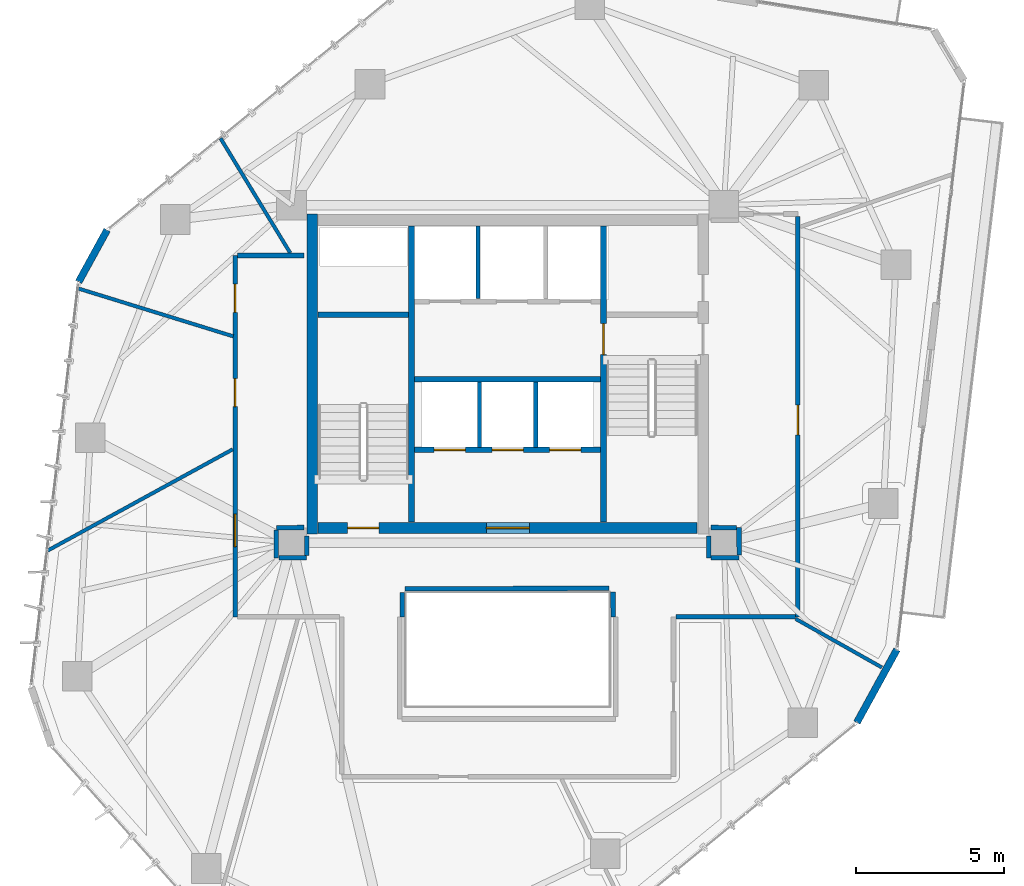
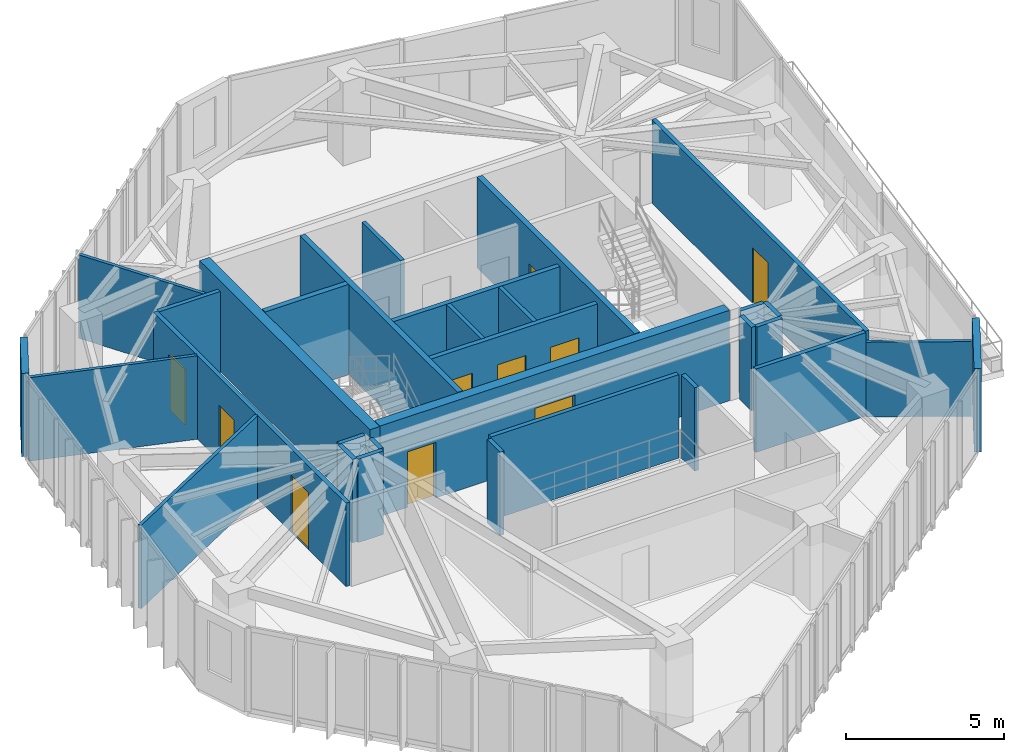
# One storey, part 18 of 22: 31 walls, 10 doors, 10 openings.
"""IFC4 building model written with IfcOpenShell, lengths in metres."""

from ifc_helpers import new_model, si_unit, direction, frame, frame_2d, origin, place, context, subcontext, project, spatial, rectangle, extrude, source, transform, mapped, material, layer, layer_set, type_object, type_shapes, element, fill, save


model = new_model("IFC4")

# Units and contexts
model_context = context("Model", 3, precision=1e-05, world=origin(), true_north=direction((0.0, 1.0)))
body_context = subcontext(model_context, "Body", "Model", "MODEL_VIEW")
ifc_project = project(units=[si_unit("LENGTHUNIT", "METRE"), si_unit("AREAUNIT", "SQUARE_METRE"), si_unit("VOLUMEUNIT", "CUBIC_METRE"), si_unit("PLANEANGLEUNIT", "RADIAN"), si_unit("MASSUNIT", "GRAM", prefix="KILO")], contexts=[model_context])

# Site, building, storey
site_placement = place(None, origin())
site = spatial("IfcSite", under=ifc_project, at=site_placement, CompositionType="ELEMENT")
building_placement = place(site_placement, origin())
building = spatial("IfcBuilding", under=site, at=building_placement, Name="Talar Marvaseh", CompositionType="ELEMENT")
storey_placement = place(building_placement, frame((0.0, 0.0, 229.199951171875)))
storey = spatial("IfcBuildingStorey", under=building, at=storey_placement, Name="L60", CompositionType="ELEMENT", Elevation=229.199951171875)

# Walls
ifc_material_1 = material(Name="Precast concrete C45/55", Category="concrete")
ifc_layer_1 = layer(ifc_material_1, 0.239990234375)
ifc_layer_set_1 = layer_set([ifc_layer_1], Name="Precast concrete C45/55")
wall_type_1 = type_object("IfcWallType", Name="Chamfered Hexagonal Corner Pier Wall Z3 240", PredefinedType="SOLIDWALL", material=ifc_layer_set_1)
wall_1_placement = place(storey_placement, frame((11.512451171875, 34.305908203125, 0.0), z_axis=(0.0, 0.0, 1.0), x_axis=(0.480968632028, 0.876737802884, 0.0)))
element("IfcWall", 1, at=wall_1_placement, inside=storey, type_object=wall_type_1, Name="L60 Chamfered Corner Limestone Pier 3", PredefinedType="SOLIDWALL", context=body_context, shape_type="SweptSolid", body=[
    extrude(rectangle(XDim=2.0029296875, YDim=0.239990234375, at=frame_2d((1.00146484375, 0.0))), origin(), (0.0, 0.0, 1.0), 3.22998046875),
])
wall_2_placement = place(storey_placement, frame((39.144287109375, 21.894287109375, 0.0), z_axis=(0.0, 0.0, 1.0), x_axis=(-0.48095304439, -0.876746353909, 0.0)))
element("IfcWall", 2, at=wall_2_placement, inside=storey, type_object=wall_type_1, Name="L60 Chamfered Corner Limestone Pier 6", PredefinedType="SOLIDWALL", context=body_context, shape_type="SweptSolid", body=[
    extrude(rectangle(XDim=2.815185546875, YDim=0.239990234375, at=frame_2d((1.40771484375, 0.0))), origin(), (0.0, 0.0, 1.0), 3.22998046875),
])

# Wall, openings, doors
ifc_material_2 = material(Name="Gypsum Board Partition Assembly")
ifc_layer_2 = layer(ifc_material_2, 0.155029296875)
ifc_layer_set_2 = layer_set([ifc_layer_2], Name="Gypsum Board Partition Assembly")
wall_type_2 = type_object("IfcWallType", Name="Corridor Fire-Rated Acoustic Partition 155", PredefinedType="PARTITIONING", material=ifc_layer_set_2)
wall_3_placement = place(storey_placement, frame((16.800048828125, 23.0, 0.0), z_axis=(0.0, 0.0, 1.0), x_axis=(0.0, 1.0, 0.0)))
wall_3 = element("IfcWall", 3, at=wall_3_placement, inside=storey, type_object=wall_type_2, Name="L60 Interior Partition Wall", PredefinedType="PARTITIONING", context=body_context, shape_type="SweptSolid", body=[
    extrude(rectangle(XDim=12.199951171875, YDim=0.155029296875, at=frame_2d((6.10009765625, 0.0))), origin(), (0.0, 0.0, 1.0), 3.22998046875),
])
opening_1_placement = place(wall_3_placement, frame((2.36865234375, 0.0, 0.0)))
opening_1 = element("IfcOpeningElement", 4, at=opening_1_placement, cuts=wall_3, Name="Opening DR-RM110", PredefinedType="OPENING", context=body_context, shape_type="SweptSolid", body=[
    extrude(rectangle(XDim=1.10009765625, YDim=2.199951171875, at=frame_2d((0.550048828125, 1.10009765625))), frame((0.0, 0.08740234375, 0.0), z_axis=(0.0, -1.0, 0.0), x_axis=(1.0, 0.0, 0.0)), (0.0, 0.0, 1.0), 0.175048828125),
])
opening_2_placement = place(wall_3_placement, frame((10.281982421875, 0.0, 0.0)))
opening_2 = element("IfcOpeningElement", 5, at=opening_2_placement, cuts=wall_3, Name="Opening DR-WC095", PredefinedType="OPENING", context=body_context, shape_type="SweptSolid", body=[
    extrude(rectangle(XDim=0.949951171875, YDim=2.14990234375, at=frame_2d((0.47509765625, 1.074951171875))), frame((0.0, 0.08740234375, 0.0), z_axis=(0.0, -1.0, 0.0), x_axis=(1.0, 0.0, 0.0)), (0.0, 0.0, 1.0), 0.175048828125),
])
opening_3_placement = place(wall_3_placement, frame((7.093994140625, 0.0, 0.0)))
opening_3 = element("IfcOpeningElement", 6, at=opening_3_placement, cuts=wall_3, Name="Opening DR-WC095", PredefinedType="OPENING", context=body_context, shape_type="SweptSolid", body=[
    extrude(rectangle(XDim=0.949951171875, YDim=2.14990234375, at=frame_2d((0.47509765625, 1.074951171875))), frame((0.0, 0.08740234375, 0.0), z_axis=(0.0, -1.0, 0.0), x_axis=(1.0, 0.0, 0.0)), (0.0, 0.0, 1.0), 0.175048828125),
])
ifc_material_3 = material(Name="Acoustic Engineered Oak Timber", Category="wood")
door_type_1 = type_object("IfcDoorType", Name="Washroom and Service Room Door 950x2150", OperationType="NOTDEFINED", PredefinedType="DOOR", material=ifc_material_3)
shared_shape_1 = source(origin(), body_context, "Body", "SweptSolid", [
    extrude(rectangle(XDim=0.949951171875, YDim=2.14990234375, at=frame_2d((0.47509765625, 1.074951171875))), frame((0.0, 0.02490234375, 0.0), z_axis=(0.0, -1.0, 0.0), x_axis=(1.0, 0.0, 0.0)), (0.0, 0.0, 1.0), 0.050048828125),
])
type_shapes(door_type_1, [shared_shape_1])
door_1_placement = place(opening_2_placement, origin())
door_1 = element("IfcDoor", 7, at=door_1_placement, inside=storey, type_object=door_type_1, Name="L60 WC Public Washrooms Door", OperationType="SINGLE_SWING_RIGHT", OverallHeight=2.14990234375, OverallWidth=0.949951171875, PredefinedType="DOOR", context=body_context, shape_type="MappedRepresentation", body=[
    mapped(shared_shape_1, transform((0.0, 0.0, 0.0), x_axis=(1.0, 0.0, 0.0), y_axis=(0.0, 1.0, 0.0), z_axis=(0.0, 0.0, 1.0), scale=1.0)),
])
fill(opening_2, door_1)
door_2_placement = place(opening_3_placement, origin())
door_2 = element("IfcDoor", 8, at=door_2_placement, inside=storey, type_object=door_type_1, Name="L60 Accessible WC Block Door", OperationType="SINGLE_SWING_LEFT", OverallHeight=2.14990234375, OverallWidth=0.949951171875, PredefinedType="DOOR", context=body_context, shape_type="MappedRepresentation", body=[
    mapped(shared_shape_1, transform((0.0, 0.0, 0.0), x_axis=(1.0, 0.0, 0.0), y_axis=(0.0, 1.0, 0.0), z_axis=(0.0, 0.0, 1.0), scale=1.0)),
])
fill(opening_3, door_2)
door_type_2 = type_object("IfcDoorType", Name="Assembly and Reading Hall Door 1100x2200", OperationType="NOTDEFINED", PredefinedType="DOOR", material=ifc_material_3)
shared_shape_2 = source(origin(), body_context, "Body", "SweptSolid", [
    extrude(rectangle(XDim=1.10009765625, YDim=2.199951171875, at=frame_2d((0.550048828125, 1.10009765625))), frame((0.0, 0.02490234375, 0.0), z_axis=(0.0, -1.0, 0.0), x_axis=(1.0, 0.0, 0.0)), (0.0, 0.0, 1.0), 0.050048828125),
])
type_shapes(door_type_2, [shared_shape_2])
door_3_placement = place(opening_1_placement, origin())
door_3 = element("IfcDoor", 9, at=door_3_placement, inside=storey, type_object=door_type_2, Name="L60 Gallery Concierge Reception Door", OperationType="SINGLE_SWING_LEFT", OverallHeight=2.199951171875, OverallWidth=1.10009765625, PredefinedType="DOOR", context=body_context, shape_type="MappedRepresentation", body=[
    mapped(shared_shape_2, transform((0.0, 0.0, 0.0), x_axis=(1.0, 0.0, 0.0), y_axis=(0.0, 1.0, 0.0), z_axis=(0.0, 0.0, 1.0), scale=1.0)),
])
fill(opening_1, door_3)

# Wall, opening, door
wall_4_placement = place(storey_placement, frame((35.800048828125, 36.5166015625, 0.0), z_axis=(0.0, 0.0, 1.0), x_axis=(0.0, -1.0, 0.0)))
wall_4 = element("IfcWall", 10, at=wall_4_placement, inside=storey, type_object=wall_type_2, Name="L60 Interior Partition Wall", PredefinedType="PARTITIONING", context=body_context, shape_type="SweptSolid", body=[
    extrude(rectangle(XDim=13.5166015625, YDim=0.155029296875, at=frame_2d((6.75830078125, 0.0))), origin(), (0.0, 0.0, 1.0), 3.22998046875),
])
opening_4_placement = place(wall_4_placement, frame((6.371337890625, 0.0, 0.0)))
opening_4 = element("IfcOpeningElement", 11, at=opening_4_placement, cuts=wall_4, Name="Opening DR-RM100", PredefinedType="OPENING", context=body_context, shape_type="SweptSolid", body=[
    extrude(rectangle(XDim=1.0, YDim=2.14990234375, at=frame_2d((0.5, 1.074951171875))), frame((0.0, 0.08740234375, 0.0), z_axis=(0.0, -1.0, 0.0), x_axis=(1.0, 0.0, 0.0)), (0.0, 0.0, 1.0), 0.175048828125),
])
door_type_3 = type_object("IfcDoorType", Name="Corridor Fire-Rated Gallery Door 1000x2150", OperationType="NOTDEFINED", PredefinedType="DOOR", material=ifc_material_3)
shared_shape_3 = source(origin(), body_context, "Body", "SweptSolid", [
    extrude(rectangle(XDim=1.0, YDim=2.14990234375, at=frame_2d((0.5, 1.074951171875))), frame((0.0, 0.02490234375, 0.0), z_axis=(0.0, -1.0, 0.0), x_axis=(1.0, 0.0, 0.0)), (0.0, 0.0, 1.0), 0.050048828125),
])
type_shapes(door_type_3, [shared_shape_3])
door_4_placement = place(opening_4_placement, origin())
door_4 = element("IfcDoor", 12, at=door_4_placement, inside=storey, type_object=door_type_3, Name="L60 Registrar Mail and Post Room Door", OperationType="SINGLE_SWING_RIGHT", OverallHeight=2.14990234375, OverallWidth=1.0, PredefinedType="DOOR", context=body_context, shape_type="MappedRepresentation", body=[
    mapped(shared_shape_3, transform((0.0, 0.0, 0.0), x_axis=(1.0, 0.0, 0.0), y_axis=(0.0, 1.0, 0.0), z_axis=(0.0, 0.0, 1.0), scale=1.0)),
])
fill(opening_4, door_4)

# Walls
wall_5_placement = place(storey_placement, frame((16.883544921875, 35.199951171875, 0.0), z_axis=(0.0, 0.0, 1.0), x_axis=(1.0, 0.0, 0.0)))
element("IfcWall", 13, at=wall_5_placement, inside=storey, type_object=wall_type_2, Name="L60 Interior Partition Wall", PredefinedType="PARTITIONING", context=body_context, shape_type="SweptSolid", body=[
    extrude(rectangle(XDim=2.246337890625, YDim=0.155029296875, at=frame_2d((1.123046875, 0.0))), origin(), (0.0, 0.0, 1.0), 3.22998046875),
])
wall_6_placement = place(storey_placement, frame((19.1298828125, 26.0146484375, 0.0), z_axis=(0.0, 0.0, 1.0), x_axis=(-0.99999026157, -0.004413248818, 0.0)))
element("IfcWall", 14, at=wall_6_placement, inside=storey, type_object=wall_type_2, Name="L60 Interior Partition Wall", PredefinedType="PARTITIONING", context=body_context, shape_type="SweptSolid", body=[
    extrude(rectangle(XDim=0.9404296875, YDim=0.155029296875, at=frame_2d((0.47021484375, 0.0))), origin(), (0.0, 0.0, 1.0), 3.22998046875),
])
wall_7_placement = place(storey_placement, frame((18.189697265625, 25.927001953125, 0.0), z_axis=(0.0, 0.0, 1.0), x_axis=(0.002078997586, -0.999997838882, 0.0)))
element("IfcWall", 15, at=wall_7_placement, inside=storey, type_object=wall_type_2, Name="L60 Interior Partition Wall", PredefinedType="PARTITIONING", context=body_context, shape_type="SweptSolid", body=[
    extrude(rectangle(XDim=0.939453125, YDim=0.155029296875, at=frame_2d((0.4697265625, 0.0))), origin(), (0.0, 0.0, 1.0), 3.22998046875),
])
wall_8_placement = place(storey_placement, frame((18.275146484375, 24.987548828125, 0.0), z_axis=(0.0, 0.0, 1.0), x_axis=(0.999999692748, 0.0007839036, 0.0)))
element("IfcWall", 16, at=wall_8_placement, inside=storey, type_object=wall_type_2, Name="L60 Interior Partition Wall", PredefinedType="PARTITIONING", context=body_context, shape_type="SweptSolid", body=[
    extrude(rectangle(XDim=0.934326171875, YDim=0.155029296875, at=frame_2d((0.46728515625, 0.0))), origin(), (0.0, 0.0, 1.0), 3.22998046875),
])
wall_9_placement = place(storey_placement, frame((19.210205078125, 25.072021484375, 0.0), z_axis=(0.0, 0.0, 1.0), x_axis=(0.007420945932, 0.999972464402, 0.0)))
element("IfcWall", 17, at=wall_9_placement, inside=storey, type_object=wall_type_2, Name="L60 Interior Partition Wall", PredefinedType="PARTITIONING", context=body_context, shape_type="SweptSolid", body=[
    extrude(rectangle(XDim=0.657958984375, YDim=0.155029296875, at=frame_2d((0.3291015625, 0.0))), origin(), (0.0, 0.0, 1.0), 3.22998046875),
])
wall_10_placement = place(storey_placement, frame((32.784912109375, 25.72998046875, 0.0), z_axis=(0.0, 0.0, 1.0), x_axis=(0.007570553288, -0.999971342951, 0.0)))
element("IfcWall", 18, at=wall_10_placement, inside=storey, type_object=wall_type_2, Name="L60 Interior Partition Wall", PredefinedType="PARTITIONING", context=body_context, shape_type="SweptSolid", body=[
    extrude(rectangle(XDim=0.74169921875, YDim=0.155029296875, at=frame_2d((0.370849609375, 0.0))), origin(), (0.0, 0.0, 1.0), 3.22998046875),
])
wall_11_placement = place(storey_placement, frame((32.8740234375, 24.9892578125, 0.0), z_axis=(0.0, 0.0, 1.0), x_axis=(0.999934835738, 0.01141596595, 0.0)))
element("IfcWall", 19, at=wall_11_placement, inside=storey, type_object=wall_type_2, Name="L60 Interior Partition Wall", PredefinedType="PARTITIONING", context=body_context, shape_type="SweptSolid", body=[
    extrude(rectangle(XDim=0.94091796875, YDim=0.155029296875, at=frame_2d((0.470458984375, 0.0))), origin(), (0.0, 0.0, 1.0), 3.22998046875),
])
wall_12_placement = place(storey_placement, frame((33.814697265625, 25.08349609375, 0.0), z_axis=(0.0, 0.0, 1.0), x_axis=(-0.004477173984, 0.999989977406, 0.0)))
element("IfcWall", 20, at=wall_12_placement, inside=storey, type_object=wall_type_2, Name="L60 Interior Partition Wall", PredefinedType="PARTITIONING", context=body_context, shape_type="SweptSolid", body=[
    extrude(rectangle(XDim=0.927001953125, YDim=0.155029296875, at=frame_2d((0.46337890625, 0.0))), origin(), (0.0, 0.0, 1.0), 3.22998046875),
])
wall_13_placement = place(storey_placement, frame((33.72705078125, 26.010986328125, 0.0), z_axis=(0.0, 0.0, 1.0), x_axis=(-0.999990868706, 0.004273465251, 0.0)))
element("IfcWall", 21, at=wall_13_placement, inside=storey, type_object=wall_type_2, Name="L60 Interior Partition Wall", PredefinedType="PARTITIONING", context=body_context, shape_type="SweptSolid", body=[
    extrude(rectangle(XDim=0.85693359375, YDim=0.155029296875, at=frame_2d((0.428466796875, 0.0))), origin(), (0.0, 0.0, 1.0), 3.22998046875),
])
wall_14_placement = place(storey_placement, frame((35.716552734375, 23.0, 0.0), z_axis=(0.0, 0.0, 1.0), x_axis=(-1.0, 0.0, 0.0)))
element("IfcWall", 22, at=wall_14_placement, inside=storey, type_object=wall_type_2, Name="L60 Interior Partition Wall", PredefinedType="PARTITIONING", context=body_context, shape_type="SweptSolid", body=[
    extrude(rectangle(XDim=4.032958984375, YDim=0.155029296875, at=frame_2d((2.0166015625, 0.0))), origin(), (0.0, 0.0, 1.0), 3.22998046875),
])
wall_15_placement = place(storey_placement, frame((29.415771484375, 23.959228515625, 0.0), z_axis=(0.0, 0.0, 1.0), x_axis=(-0.999998607957, -0.001668557745, 0.0)))
element("IfcWall", 23, at=wall_15_placement, inside=storey, type_object=wall_type_2, Name="L60 Interior Partition Wall", PredefinedType="PARTITIONING", context=body_context, shape_type="SweptSolid", body=[
    extrude(rectangle(XDim=6.876953125, YDim=0.155029296875, at=frame_2d((3.4384765625, 0.0))), origin(), (0.0, 0.0, 1.0), 3.22998046875),
])
wall_16_placement = place(storey_placement, frame((22.44091796875, 23.815673828125, 0.0), z_axis=(0.0, 0.0, 1.0), x_axis=(-0.001197245475, -0.999999283301, 0.0)))
element("IfcWall", 24, at=wall_16_placement, inside=storey, type_object=wall_type_2, Name="L60 Interior Partition Wall", PredefinedType="PARTITIONING", context=body_context, shape_type="SweptSolid", body=[
    extrude(rectangle(XDim=0.815673828125, YDim=0.155029296875, at=frame_2d((0.40771484375, 0.0))), origin(), (0.0, 0.0, 1.0), 3.22998046875),
])
wall_17_placement = place(storey_placement, frame((29.56005859375, 23.0, 0.0), z_axis=(0.0, 0.0, 1.0), x_axis=(-0.003817887006, 0.999992711843, 0.0)))
element("IfcWall", 25, at=wall_17_placement, inside=storey, type_object=wall_type_2, Name="L60 Interior Partition Wall", PredefinedType="PARTITIONING", context=body_context, shape_type="SweptSolid", body=[
    extrude(rectangle(XDim=0.831298828125, YDim=0.155029296875, at=frame_2d((0.41552734375, 0.0))), origin(), (0.0, 0.0, 1.0), 3.22998046875),
])
ifc_layer_3 = layer(ifc_material_2, 0.1201171875)
ifc_layer_set_3 = layer_set([ifc_layer_3], Name="Gypsum Board Partition Assembly")
wall_type_3 = type_object("IfcWallType", Name="Demountable Studio Room Partition 120", PredefinedType="PARTITIONING", material=ifc_layer_set_3)
wall_18_placement = place(storey_placement, frame((10.4658203125, 25.233642578125, 0.0), z_axis=(0.0, 0.0, 1.0), x_axis=(0.877236106852, 0.480059176389, 0.0)))
element("IfcWall", 26, at=wall_18_placement, inside=storey, type_object=wall_type_3, Name="L60 Interior Partition Wall", PredefinedType="PARTITIONING", context=body_context, shape_type="SweptSolid", body=[
    extrude(rectangle(XDim=7.12548828125, YDim=0.1201171875, at=frame_2d((3.562744140625, 0.0))), origin(), (0.0, 0.0, 1.0), 3.22998046875),
])
wall_19_placement = place(storey_placement, frame((35.722412109375, 22.930908203125, 0.0), z_axis=(0.0, 0.0, 1.0), x_axis=(0.87129071966, -0.490767237938, 0.0)))
element("IfcWall", 27, at=wall_19_placement, inside=storey, type_object=wall_type_3, Name="L60 Interior Partition Wall", PredefinedType="PARTITIONING", context=body_context, shape_type="SweptSolid", body=[
    extrude(rectangle(XDim=3.343994140625, YDim=0.1201171875, at=frame_2d((1.671875, 0.0))), origin(), (0.0, 0.0, 1.0), 2.89208984375),
])
wall_20_placement = place(storey_placement, frame((18.6591796875, 35.283447265625, 0.0), z_axis=(0.0, 0.0, 1.0), x_axis=(-0.519422238821, 0.854517722354, 0.0)))
element("IfcWall", 28, at=wall_20_placement, inside=storey, type_object=wall_type_3, Name="L60 Interior Partition Wall", PredefinedType="PARTITIONING", context=body_context, shape_type="SweptSolid", body=[
    extrude(rectangle(XDim=4.532470703125, YDim=0.1201171875, at=frame_2d((2.26611328125, 0.0))), origin(), (0.0, 0.0, 1.0), 3.22998046875),
])
wall_21_placement = place(storey_placement, frame((16.73779296875, 32.46923828125, 0.0), z_axis=(0.0, 0.0, 1.0), x_axis=(-0.955535688981, 0.294875477249, 0.0)))
element("IfcWall", 29, at=wall_21_placement, inside=storey, type_object=wall_type_3, Name="L60 Interior Partition Wall", PredefinedType="PARTITIONING", context=body_context, shape_type="SweptSolid", body=[
    extrude(rectangle(XDim=5.474365234375, YDim=0.1201171875, at=frame_2d((2.7373046875, 0.0))), origin(), (0.0, 0.0, 1.0), 3.22998046875),
])
ifc_layer_4 = layer(ifc_material_1, 0.14501953125)
ifc_layer_set_4 = layer_set([ifc_layer_4], Name="Precast concrete C45/55")
wall_type_4 = type_object("IfcWallType", Name="Fire-Rated Lift Divider Wall 145", PredefinedType="SOLIDWALL", material=ifc_layer_set_4)
wall_22_placement = place(storey_placement, frame((25.0, 33.743408203125, 0.0), z_axis=(0.0, 0.0, 1.0), x_axis=(0.0, 1.0, 0.0)))
element("IfcWall", 30, at=wall_22_placement, inside=storey, type_object=wall_type_4, Name="L60 FFL-1/FFL-2 Divider", PredefinedType="SOLIDWALL", context=body_context, shape_type="SweptSolid", body=[
    extrude(rectangle(XDim=2.45654296875, YDim=0.14501953125, at=frame_2d((1.228271484375, 0.0))), origin(), (0.0, 0.0, 1.0), 3.22998046875),
])
for number, where, z_axis, x_axis, name in (
    (31, (25.050048828125, 28.719970703125, 0.0), (0.0, 0.0, 1.0), (0.0, 1.0, 0.0), "L60 PL-H1/PL-H2 Divider"),
    (32, (26.949951171875, 28.719970703125, 0.0), (0.0, 0.0, 1.0), (0.0, 1.0, 0.0), "L60 PL-H2/PL-H3 Divider"),
):
    element("IfcWall", number, at=place(storey_placement, frame(where, z_axis=z_axis, x_axis=x_axis)), inside=storey, type_object=wall_type_4, Name=name, PredefinedType="SOLIDWALL", context=body_context, shape_type="SweptSolid", body=[
        extrude(rectangle(XDim=2.20654296875, YDim=0.14501953125, at=frame_2d((1.103271484375, 0.0))), origin(), (0.0, 0.0, 1.0), 3.22998046875),
    ])
ifc_layer_5 = layer(ifc_material_1, 0.175048828125)
ifc_layer_set_5 = layer_set([ifc_layer_5], Name="Precast concrete C45/55")
wall_type_5 = type_object("IfcWallType", Name="Fire-Rated Lift Hoistway Enclosure Wall 175", PredefinedType="SOLIDWALL", material=ifc_layer_set_5)
wall_23_placement = place(storey_placement, frame((22.860107421875, 31.02001953125, 0.0), z_axis=(0.0, 0.0, 1.0), x_axis=(1.0, 0.0, 0.0)))
element("IfcWall", 33, at=wall_23_placement, inside=storey, type_object=wall_type_5, Name="L60 Firefighting Lobby South Smoke Wall", PredefinedType="SOLIDWALL", context=body_context, shape_type="SweptSolid", body=[
    extrude(rectangle(XDim=6.27978515625, YDim=0.175048828125, at=frame_2d((3.139892578125, 0.0))), origin(), (0.0, 0.0, 1.0), 3.22998046875),
])

# Wall, openings, doors
wall_24_placement = place(storey_placement, frame((22.860107421875, 28.639892578125, 0.0), z_axis=(0.0, 0.0, 1.0), x_axis=(1.0, 0.0, 0.0)))
wall_24 = element("IfcWall", 34, at=wall_24_placement, inside=storey, type_object=wall_type_5, Name="L60 High-Rise Lift Bank Front Wall", PredefinedType="SOLIDWALL", context=body_context, shape_type="SweptSolid", body=[
    extrude(rectangle(XDim=6.27978515625, YDim=0.175048828125, at=frame_2d((3.139892578125, 0.0))), origin(), (0.0, 0.0, 1.0), 3.22998046875),
])
opening_5_placement = place(wall_24_placement, frame((0.659912109375, 0.0, 0.0)))
opening_5 = element("IfcOpeningElement", 35, at=opening_5_placement, cuts=wall_24, Name="Opening LD-PLH1", PredefinedType="OPENING", context=body_context, shape_type="SweptSolid", body=[
    extrude(rectangle(XDim=1.050048828125, YDim=2.14990234375, at=frame_2d((0.52490234375, 1.074951171875))), frame((0.0, 0.09765625, 0.0), z_axis=(0.0, -1.0, 0.0), x_axis=(1.0, 0.0, 0.0)), (0.0, 0.0, 1.0), 0.195068359375),
])
opening_6_placement = place(wall_24_placement, frame((2.6201171875, 0.0, 0.0)))
opening_6 = element("IfcOpeningElement", 36, at=opening_6_placement, cuts=wall_24, Name="Opening LD-PLH2", PredefinedType="OPENING", context=body_context, shape_type="SweptSolid", body=[
    extrude(rectangle(XDim=1.050048828125, YDim=2.14990234375, at=frame_2d((0.52490234375, 1.074951171875))), frame((0.0, 0.09765625, 0.0), z_axis=(0.0, -1.0, 0.0), x_axis=(1.0, 0.0, 0.0)), (0.0, 0.0, 1.0), 0.195068359375),
])
opening_7_placement = place(wall_24_placement, frame((4.56005859375, 0.0, 0.0)))
opening_7 = element("IfcOpeningElement", 37, at=opening_7_placement, cuts=wall_24, Name="Opening LD-PLH3", PredefinedType="OPENING", context=body_context, shape_type="SweptSolid", body=[
    extrude(rectangle(XDim=1.050048828125, YDim=2.14990234375, at=frame_2d((0.52490234375, 1.074951171875))), frame((0.0, 0.09765625, 0.0), z_axis=(0.0, -1.0, 0.0), x_axis=(1.0, 0.0, 0.0)), (0.0, 0.0, 1.0), 0.195068359375),
])
ifc_material_4 = material(Name="Stainless Steel Grade 316", Category="steel")
door_type_4 = type_object("IfcDoorType", Name="Automatic Sliding Lift Landing Door 1050x2150", OperationType="NOTDEFINED", PredefinedType="DOOR", material=ifc_material_4)
shared_shape_4 = source(origin(), body_context, "Body", "SweptSolid", [
    extrude(rectangle(XDim=1.050048828125, YDim=2.14990234375, at=frame_2d((0.52490234375, 1.074951171875))), frame((0.0, 0.02490234375, 0.0), z_axis=(0.0, -1.0, 0.0), x_axis=(1.0, 0.0, 0.0)), (0.0, 0.0, 1.0), 0.050048828125),
])
type_shapes(door_type_4, [shared_shape_4])
door_5_placement = place(opening_5_placement, origin())
door_5 = element("IfcDoor", 38, at=door_5_placement, inside=storey, type_object=door_type_4, Name="L60 Lift PL-H1 Sliding Landing Door", OperationType="SLIDING_TO_LEFT", OverallHeight=2.14990234375, OverallWidth=1.050048828125, PredefinedType="DOOR", context=body_context, shape_type="MappedRepresentation", body=[
    mapped(shared_shape_4, transform((0.0, 0.0, 0.0), x_axis=(1.0, 0.0, 0.0), y_axis=(0.0, 1.0, 0.0), z_axis=(0.0, 0.0, 1.0), scale=1.0)),
])
fill(opening_5, door_5)
door_6_placement = place(opening_6_placement, origin())
door_6 = element("IfcDoor", 39, at=door_6_placement, inside=storey, type_object=door_type_4, Name="L60 Lift PL-H2 Sliding Landing Door", OperationType="SLIDING_TO_LEFT", OverallHeight=2.14990234375, OverallWidth=1.050048828125, PredefinedType="DOOR", context=body_context, shape_type="MappedRepresentation", body=[
    mapped(shared_shape_4, transform((0.0, 0.0, 0.0), x_axis=(1.0, 0.0, 0.0), y_axis=(0.0, 1.0, 0.0), z_axis=(0.0, 0.0, 1.0), scale=1.0)),
])
fill(opening_6, door_6)
door_7_placement = place(opening_7_placement, origin())
door_7 = element("IfcDoor", 40, at=door_7_placement, inside=storey, type_object=door_type_4, Name="L60 Lift PL-H3 Sliding Landing Door", OperationType="SLIDING_TO_LEFT", OverallHeight=2.14990234375, OverallWidth=1.050048828125, PredefinedType="DOOR", context=body_context, shape_type="MappedRepresentation", body=[
    mapped(shared_shape_4, transform((0.0, 0.0, 0.0), x_axis=(1.0, 0.0, 0.0), y_axis=(0.0, 1.0, 0.0), z_axis=(0.0, 0.0, 1.0), scale=1.0)),
])
fill(opening_7, door_7)

# Wall
ifc_material_5 = material(Name="Concrete C50/60", Category="concrete")
ifc_layer_6 = layer(ifc_material_5, 0.199951171875)
ifc_layer_set_6 = layer_set([ifc_layer_6], Name="Concrete C50/60")
wall_type_6 = type_object("IfcWallType", Name="Stair Shaft Structural Concrete Shear Wall 200", PredefinedType="SHEAR", material=ifc_layer_set_6)
wall_25_placement = place(storey_placement, frame((22.760009765625, 26.199951171875, 0.0), z_axis=(0.0, 0.0, 1.0), x_axis=(0.0, 1.0, 0.0)))
element("IfcWall", 41, at=wall_25_placement, inside=storey, type_object=wall_type_6, Name="L60 Core West Stair Shear Wall", PredefinedType="SHEAR", context=body_context, shape_type="SweptSolid", body=[
    extrude(rectangle(XDim=10.0, YDim=0.199951171875, at=frame_2d((5.0, 0.0))), origin(), (0.0, 0.0, 1.0), 3.5),
])

# Wall, opening, door
wall_26_placement = place(storey_placement, frame((29.239990234375, 26.199951171875, 0.0), z_axis=(0.0, 0.0, 1.0), x_axis=(0.0, 1.0, 0.0)))
wall_26 = element("IfcWall", 42, at=wall_26_placement, inside=storey, type_object=wall_type_6, Name="L60 Core East Stair Shear Wall", PredefinedType="SHEAR", context=body_context, shape_type="SweptSolid", body=[
    extrude(rectangle(XDim=10.0, YDim=0.199951171875, at=frame_2d((5.0, 0.0))), origin(), (0.0, 0.0, 1.0), 3.5),
])
opening_8_placement = place(wall_26_placement, frame((5.64990234375, 0.0, 0.0)))
opening_8 = element("IfcOpeningElement", 43, at=opening_8_placement, cuts=wall_26, Name="Opening DR-ST105", PredefinedType="OPENING", context=body_context, shape_type="SweptSolid", body=[
    extrude(rectangle(XDim=1.050048828125, YDim=2.14990234375, at=frame_2d((0.52490234375, 1.074951171875))), frame((0.0, 0.10986328125, 0.0), z_axis=(0.0, -1.0, 0.0), x_axis=(1.0, 0.0, 0.0)), (0.0, 0.0, 1.0), 0.219970703125),
])
ifc_material_6 = material(Name="Fire-Rated Steel Door Leaf", Category="steel")
door_type_5 = type_object("IfcDoorType", Name="Protected Exit Stair Fire Door 1050x2150", OperationType="NOTDEFINED", PredefinedType="DOOR", material=ifc_material_6)
shared_shape_5 = source(origin(), body_context, "Body", "SweptSolid", [
    extrude(rectangle(XDim=1.050048828125, YDim=2.14990234375, at=frame_2d((0.52490234375, 1.074951171875))), frame((0.0, 0.02490234375, 0.0), z_axis=(0.0, -1.0, 0.0), x_axis=(1.0, 0.0, 0.0)), (0.0, 0.0, 1.0), 0.050048828125),
])
type_shapes(door_type_5, [shared_shape_5])
door_8_placement = place(opening_8_placement, origin())
door_8 = element("IfcDoor", 44, at=door_8_placement, inside=storey, type_object=door_type_5, Name="L60 Firefighting Lobby to Stair ST-2 Door", OperationType="SINGLE_SWING_LEFT", OverallHeight=2.14990234375, OverallWidth=1.050048828125, PredefinedType="DOOR", context=body_context, shape_type="MappedRepresentation", body=[
    mapped(shared_shape_5, transform((0.0, 0.0, 0.0), x_axis=(1.0, 0.0, 0.0), y_axis=(0.0, 1.0, 0.0), z_axis=(0.0, 0.0, 1.0), scale=1.0)),
])
fill(opening_8, door_8)

# Walls
wall_27_placement = place(storey_placement, frame((19.60009765625, 33.199951171875, 0.0), z_axis=(0.0, 0.0, 1.0), x_axis=(1.0, 0.0, 0.0)))
element("IfcWall", 45, at=wall_27_placement, inside=storey, type_object=wall_type_6, Name="L60 Stair ST-1 North Shear Wall", PredefinedType="SHEAR", context=body_context, shape_type="SweptSolid", body=[
    extrude(rectangle(XDim=3.059814453125, YDim=0.199951171875, at=frame_2d((1.52978515625, 0.0))), origin(), (0.0, 0.0, 1.0), 3.5),
])
ifc_layer_7 = layer(ifc_material_5, 0.360107421875)
ifc_layer_set_7 = layer_set([ifc_layer_7], Name="Concrete C50/60")
wall_type_7 = type_object("IfcWallType", Name="Upper Core Reinforced Concrete Shear Wall 360", PredefinedType="SHEAR", material=ifc_layer_set_7)
wall_28_placement = place(storey_placement, frame((19.39990234375, 25.800048828125, 0.0), z_axis=(0.0, 0.0, 1.0), x_axis=(0.0, 1.0, 0.0)))
element("IfcWall", 46, at=wall_28_placement, inside=storey, type_object=wall_type_7, Name="L60 West Core Shear Wall", PredefinedType="SHEAR", context=body_context, shape_type="SweptSolid", body=[
    extrude(rectangle(XDim=10.800048828125, YDim=0.360107421875, at=frame_2d((5.39990234375, 0.0))), origin(), (0.0, 0.0, 1.0), 3.5),
])

# Wall, openings, doors
wall_29_placement = place(storey_placement, frame((32.39990234375, 26.0, 0.0), z_axis=(0.0, 0.0, 1.0), x_axis=(-1.0, 0.0, 0.0)))
wall_29 = element("IfcWall", 47, at=wall_29_placement, inside=storey, type_object=wall_type_7, Name="L60 South Core Shear Wall", PredefinedType="SHEAR", context=body_context, shape_type="SweptSolid", body=[
    extrude(rectangle(XDim=12.7998046875, YDim=0.360107421875, at=frame_2d((6.39990234375, 0.0))), origin(), (0.0, 0.0, 1.0), 3.5),
])
opening_9_placement = place(wall_29_placement, frame((10.75, 0.0, 0.0)))
opening_9 = element("IfcOpeningElement", 48, at=opening_9_placement, cuts=wall_29, Name="Opening DR-ST105", PredefinedType="OPENING", context=body_context, shape_type="SweptSolid", body=[
    extrude(rectangle(XDim=1.050048828125, YDim=2.14990234375, at=frame_2d((0.52490234375, 1.074951171875))), frame((0.0, 0.18994140625, 0.0), z_axis=(0.0, -1.0, 0.0), x_axis=(1.0, 0.0, 0.0)), (0.0, 0.0, 1.0), 0.380126953125),
])
opening_10_placement = place(wall_29_placement, frame((5.669921875, 0.0, 0.0)))
opening_10 = element("IfcOpeningElement", 49, at=opening_10_placement, cuts=wall_29, Name="Opening DR-LBY145", PredefinedType="OPENING", context=body_context, shape_type="SweptSolid", body=[
    extrude(rectangle(XDim=1.449951171875, YDim=2.199951171875, at=frame_2d((0.72509765625, 1.10009765625))), frame((0.0, 0.18994140625, 0.0), z_axis=(0.0, -1.0, 0.0), x_axis=(1.0, 0.0, 0.0)), (0.0, 0.0, 1.0), 0.380126953125),
])
door_9_placement = place(opening_9_placement, origin())
door_9 = element("IfcDoor", 50, at=door_9_placement, inside=storey, type_object=door_type_5, Name="L60 Stair ST-1 Exit Door", OperationType="SINGLE_SWING_RIGHT", OverallHeight=2.14990234375, OverallWidth=1.050048828125, PredefinedType="DOOR", context=body_context, shape_type="MappedRepresentation", body=[
    mapped(shared_shape_5, transform((0.0, 0.0, 0.0), x_axis=(1.0, 0.0, 0.0), y_axis=(0.0, 1.0, 0.0), z_axis=(0.0, 0.0, 1.0), scale=1.0)),
])
fill(opening_9, door_9)
door_type_6 = type_object("IfcDoorType", Name="Core Lift Lobby Double Smoke Door 1450x2200", OperationType="NOTDEFINED", PredefinedType="DOOR", material=ifc_material_6)
shared_shape_6 = source(origin(), body_context, "Body", "SweptSolid", [
    extrude(rectangle(XDim=1.449951171875, YDim=2.199951171875, at=frame_2d((0.72509765625, 1.10009765625))), frame((0.0, 0.02490234375, 0.0), z_axis=(0.0, -1.0, 0.0), x_axis=(1.0, 0.0, 0.0)), (0.0, 0.0, 1.0), 0.050048828125),
])
type_shapes(door_type_6, [shared_shape_6])
door_10_placement = place(opening_10_placement, origin())
door_10 = element("IfcDoor", 51, at=door_10_placement, inside=storey, type_object=door_type_6, Name="L60 Passenger Lift Lobby Entrance Door", OperationType="DOUBLE_DOOR_SINGLE_SWING", OverallHeight=2.199951171875, OverallWidth=1.449951171875, PredefinedType="DOOR", context=body_context, shape_type="MappedRepresentation", body=[
    mapped(shared_shape_6, transform((0.0, 0.0, 0.0), x_axis=(1.0, 0.0, 0.0), y_axis=(0.0, 1.0, 0.0), z_axis=(0.0, 0.0, 1.0), scale=1.0)),
])
fill(opening_10, door_10)

save(model, "model.ifc")
